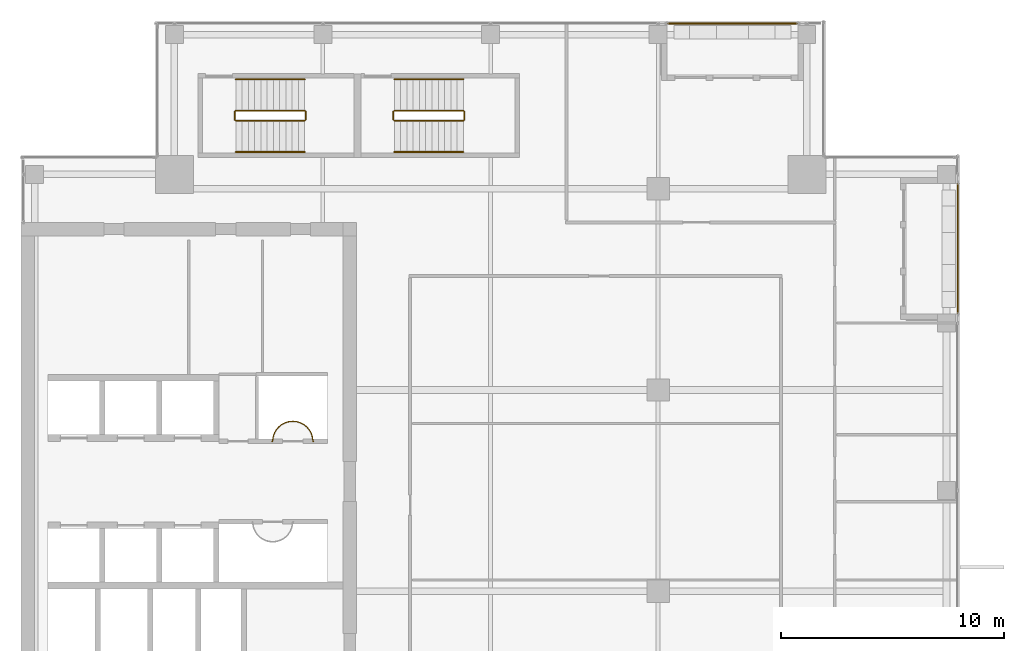
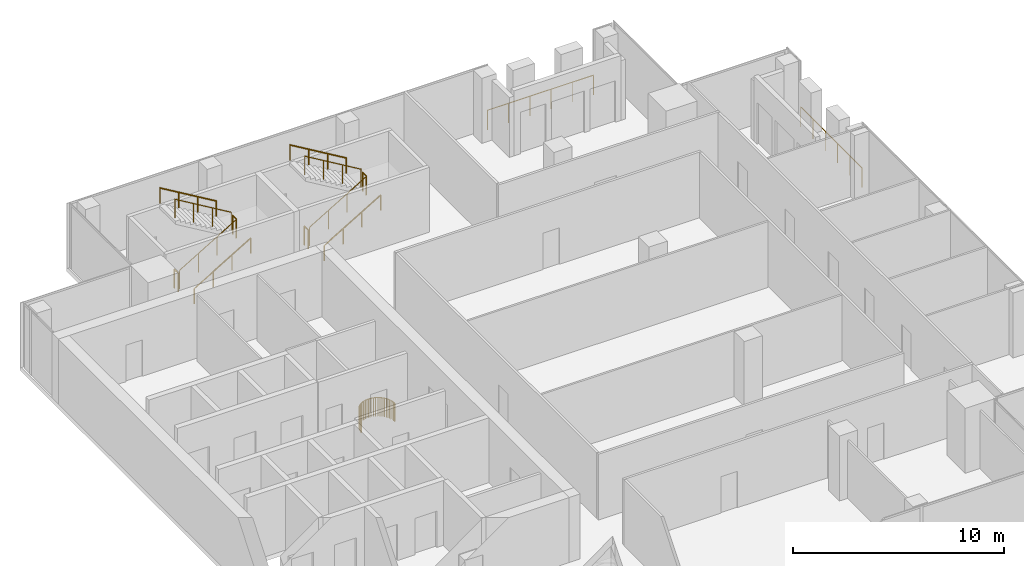
# One storey, part 27 of 28: 15 railings.
"""IFC4 building model written with IfcOpenShell, lengths in metres."""

from ifc_helpers import new_model, si_unit, direction, frame, origin, origin_2d, place, context, subcontext, project, spatial, circle, extrude, source, transform, mapped, material, type_object, element, save


model = new_model("IFC4")

# Units and contexts
model_context = context("Model", 3, precision=1e-05, world=origin(), true_north=direction((0.0, 1.0)))
body_context = subcontext(model_context, "Body", "Model", "MODEL_VIEW")
ifc_project = project(units=[si_unit("LENGTHUNIT", "METRE"), si_unit("AREAUNIT", "SQUARE_METRE"), si_unit("VOLUMEUNIT", "CUBIC_METRE"), si_unit("PLANEANGLEUNIT", "RADIAN"), si_unit("MASSUNIT", "GRAM", prefix="KILO")], contexts=[model_context])

# Site, building, storey
site_placement = place(None, origin())
site = spatial("IfcSite", under=ifc_project, at=site_placement, CompositionType="ELEMENT")
building_placement = place(site_placement, origin())
building = spatial("IfcBuilding", under=site, at=building_placement, Name="Khomas Fold Tower", CompositionType="ELEMENT")
storey_placement = place(building_placement, frame((0.0, 0.0, 302.199951171875)))
storey = spatial("IfcBuildingStorey", under=building, at=storey_placement, Name="L68", CompositionType="ELEMENT", Elevation=302.199951171875)

# Railings
ifc_material_1 = material(Name="Powder-coated steel", Category="steel")
railing_type_1 = type_object("IfcRailingType", Name="Balcony guard", PredefinedType="GUARDRAIL", material=ifc_material_1)
shared_shape_1 = source(origin(), body_context, "Body", "SweptSolid", [
    extrude(circle(Radius=0.02490234375, at=origin_2d()), frame((0.0, 0.0, 1.125), z_axis=(1.0, 0.0, 0.0), x_axis=(0.0, 1.0, 0.0)), (0.0, 0.0, 1.0), 5.7900390625),
    extrude(circle(Radius=0.02001953125, at=origin_2d()), origin(), (0.0, 0.0, 1.0), 1.099853515625),
    extrude(circle(Radius=0.02001953125, at=origin_2d()), frame((1.157958984375, 0.0, 0.0)), (0.0, 0.0, 1.0), 1.099853515625),
    extrude(circle(Radius=0.02001953125, at=origin_2d()), frame((2.31591796875, 0.0, 0.0)), (0.0, 0.0, 1.0), 1.099853515625),
    extrude(circle(Radius=0.02001953125, at=origin_2d()), frame((3.47412109375, 0.0, 0.0)), (0.0, 0.0, 1.0), 1.099853515625),
    extrude(circle(Radius=0.02001953125, at=origin_2d()), frame((4.632080078125, 0.0, 0.0)), (0.0, 0.0, 1.0), 1.099853515625),
    extrude(circle(Radius=0.02001953125, at=origin_2d()), frame((5.7900390625, 0.0, 0.0)), (0.0, 0.0, 1.0), 1.099853515625),
])
railing_1_placement = place(storey_placement, frame((34.929931640625, 47.89990234375, -0.044921875)))
element("IfcRailing", 1, at=railing_1_placement, inside=storey, type_object=railing_type_1, Name="Balcony guard BAL-L68-N4", PredefinedType="GUARDRAIL", context=body_context, shape_type="MappedRepresentation", body=[
    mapped(shared_shape_1, transform((0.0, 0.0, 0.0))),
])
shared_shape_2 = source(origin(), body_context, "Body", "SweptSolid", [
    extrude(circle(Radius=0.02490234375, at=origin_2d()), frame((0.0, 0.0, 1.125), z_axis=(0.0, 1.0, 0.0), x_axis=(-1.0, 0.0, 0.0)), (0.0, 0.0, 1.0), 5.7900390625),
    extrude(circle(Radius=0.02001953125, at=origin_2d()), origin(), (0.0, 0.0, 1.0), 1.099853515625),
    extrude(circle(Radius=0.02001953125, at=origin_2d()), frame((0.0, 1.157958984375, 0.0)), (0.0, 0.0, 1.0), 1.099853515625),
    extrude(circle(Radius=0.02001953125, at=origin_2d()), frame((0.0, 2.31591796875, 0.0)), (0.0, 0.0, 1.0), 1.099853515625),
    extrude(circle(Radius=0.02001953125, at=origin_2d()), frame((0.0, 3.47412109375, 0.0)), (0.0, 0.0, 1.0), 1.099853515625),
    extrude(circle(Radius=0.02001953125, at=origin_2d()), frame((0.0, 4.632080078125, 0.0)), (0.0, 0.0, 1.0), 1.099853515625),
    extrude(circle(Radius=0.02001953125, at=origin_2d()), frame((0.0, 5.7900390625, 0.0)), (0.0, 0.0, 1.0), 1.099853515625),
])
railing_2_placement = place(storey_placement, frame((47.89990234375, 34.929931640625, -0.044921875)))
element("IfcRailing", 2, at=railing_2_placement, inside=storey, type_object=railing_type_1, Name="Balcony guard BAL-L68-E4", PredefinedType="GUARDRAIL", context=body_context, shape_type="MappedRepresentation", body=[
    mapped(shared_shape_2, transform((0.0, 0.0, 0.0))),
])
ifc_material_2 = material(Name="Steel balustrade", Category="steel")
railing_type_2 = type_object("IfcRailingType", Name="Stair guard", PredefinedType="GUARDRAIL", material=ifc_material_2)
shared_shape_3 = source(origin(), body_context, "Body", "SweptSolid", [
    extrude(circle(Radius=0.02392578125, at=origin_2d()), frame((0.0, 0.0, 1.076171875), z_axis=(0.0, 1.0, 0.0), x_axis=(-1.0, 0.0, 0.0)), (0.0, 0.0, 1.0), 0.349853515625),
    extrude(circle(Radius=0.02099609375, at=origin_2d()), origin(), (0.0, 0.0, 1.0), 1.052001953125),
    extrude(circle(Radius=0.02099609375, at=origin_2d()), frame((0.0, 0.349853515625, 0.0)), (0.0, 0.0, 1.0), 1.052001953125),
])
for number, where, name in (
    (3, (18.72998046875, 43.60009765625, 2.0), "L68 ST1 stair guard 2"),
    (4, (15.550048828125, 43.60009765625, 0.0), "L68 ST1 stair guard 4"),
    (5, (25.830078125, 43.60009765625, 2.0), "L68 ST3 stair guard 2"),
    (6, (22.64990234375, 43.60009765625, 0.0), "L68 ST3 stair guard 4"),
):
    element("IfcRailing", number, at=place(storey_placement, frame(where)), inside=storey, type_object=railing_type_2, Name=name, PredefinedType="GUARDRAIL", context=body_context, shape_type="MappedRepresentation", body=[
        mapped(shared_shape_3, transform((0.0, 0.0, 0.0))),
    ])
shared_shape_4 = source(origin(), body_context, "Body", "SweptSolid", [
    extrude(circle(Radius=0.02392578125, at=origin_2d()), frame((0.0, 0.0, 1.076171875), z_axis=(0.859290745958, 0.0, 0.51148745235), x_axis=(0.0, 1.0, 0.0)), (0.0, 0.0, 1.0), 3.584228515625),
    extrude(circle(Radius=0.02099609375, at=origin_2d()), origin(), (0.0, 0.0, 1.0), 1.052001953125),
    extrude(circle(Radius=0.02099609375, at=origin_2d()), frame((1.026611328125, 0.0, 0.611083984375)), (0.0, 0.0, 1.0), 1.052001953125),
    extrude(circle(Radius=0.02099609375, at=origin_2d()), frame((2.05322265625, 0.0, 1.22216796875)), (0.0, 0.0, 1.0), 1.052001953125),
    extrude(circle(Radius=0.02099609375, at=origin_2d()), frame((3.079833984375, 0.0, 1.833251953125)), (0.0, 0.0, 1.0), 1.052001953125),
])
railing_3_placement = place(storey_placement, frame((15.60009765625, 43.550048828125, 0.166748046875)))
element("IfcRailing", 7, at=railing_3_placement, inside=storey, type_object=railing_type_2, Name="L68 ST1 stair guard 1", PredefinedType="GUARDRAIL", context=body_context, shape_type="MappedRepresentation", body=[
    mapped(shared_shape_4, transform((0.0, 0.0, 0.0))),
])
shared_shape_5 = source(origin(), body_context, "Body", "SweptSolid", [
    extrude(circle(Radius=0.02392578125, at=origin_2d()), frame((0.0, 0.0, 1.076171875), z_axis=(-0.859290745958, 0.0, 0.51148745235), x_axis=(0.0, -1.0, 0.0)), (0.0, 0.0, 1.0), 3.584228515625),
    extrude(circle(Radius=0.02099609375, at=origin_2d()), origin(), (0.0, 0.0, 1.0), 1.052001953125),
    extrude(circle(Radius=0.02099609375, at=origin_2d()), frame((-1.026611328125, 0.0, 0.611083984375)), (0.0, 0.0, 1.0), 1.052001953125),
    extrude(circle(Radius=0.02099609375, at=origin_2d()), frame((-2.05322265625, 0.0, 1.22216796875)), (0.0, 0.0, 1.0), 1.052001953125),
    extrude(circle(Radius=0.02099609375, at=origin_2d()), frame((-3.079833984375, 0.0, 1.833251953125)), (0.0, 0.0, 1.0), 1.052001953125),
])
railing_4_placement = place(storey_placement, frame((18.679931640625, 44.0, 2.166748046875)))
element("IfcRailing", 8, at=railing_4_placement, inside=storey, type_object=railing_type_2, Name="L68 ST1 stair guard 3", PredefinedType="GUARDRAIL", context=body_context, shape_type="MappedRepresentation", body=[
    mapped(shared_shape_5, transform((0.0, 0.0, 0.0))),
])
ifc_material_3 = material(Name="Steel handrail", Category="steel")
railing_type_3 = type_object("IfcRailingType", Name="Stair handrail", PredefinedType="HANDRAIL", material=ifc_material_3)
shared_shape_6 = source(origin(), body_context, "Body", "SweptSolid", [
    extrude(circle(Radius=0.02392578125, at=origin_2d()), frame((0.0, 0.0, 0.8759765625), z_axis=(0.859290745958, 0.0, 0.51148745235), x_axis=(0.0, 1.0, 0.0)), (0.0, 0.0, 1.0), 3.584228515625),
    extrude(circle(Radius=0.02099609375, at=origin_2d()), origin(), (0.0, 0.0, 1.0), 0.851806640625),
    extrude(circle(Radius=0.02099609375, at=origin_2d()), frame((1.026611328125, 0.0, 0.611083984375)), (0.0, 0.0, 1.0), 0.851806640625),
    extrude(circle(Radius=0.02099609375, at=origin_2d()), frame((2.05322265625, 0.0, 1.22216796875)), (0.0, 0.0, 1.0), 0.851806640625),
    extrude(circle(Radius=0.02099609375, at=origin_2d()), frame((3.079833984375, 0.0, 1.833251953125)), (0.0, 0.0, 1.0), 0.851806640625),
])
railing_5_placement = place(storey_placement, frame((15.60009765625, 42.14990234375, 0.166748046875)))
element("IfcRailing", 9, at=railing_5_placement, inside=storey, type_object=railing_type_3, Name="L68 ST1 stair handrail 1", PredefinedType="HANDRAIL", context=body_context, shape_type="MappedRepresentation", body=[
    mapped(shared_shape_6, transform((0.0, 0.0, 0.0))),
])
shared_shape_7 = source(origin(), body_context, "Body", "SweptSolid", [
    extrude(circle(Radius=0.02392578125, at=origin_2d()), frame((0.0, 0.0, 0.8759765625), z_axis=(-0.859290745958, 0.0, 0.51148745235), x_axis=(0.0, -1.0, 0.0)), (0.0, 0.0, 1.0), 3.584228515625),
    extrude(circle(Radius=0.02099609375, at=origin_2d()), origin(), (0.0, 0.0, 1.0), 0.851806640625),
    extrude(circle(Radius=0.02099609375, at=origin_2d()), frame((-1.026611328125, 0.0, 0.611083984375)), (0.0, 0.0, 1.0), 0.851806640625),
    extrude(circle(Radius=0.02099609375, at=origin_2d()), frame((-2.05322265625, 0.0, 1.22216796875)), (0.0, 0.0, 1.0), 0.851806640625),
    extrude(circle(Radius=0.02099609375, at=origin_2d()), frame((-3.079833984375, 0.0, 1.833251953125)), (0.0, 0.0, 1.0), 0.851806640625),
])
railing_6_placement = place(storey_placement, frame((18.679931640625, 45.39990234375, 2.166748046875)))
element("IfcRailing", 10, at=railing_6_placement, inside=storey, type_object=railing_type_3, Name="L68 ST1 stair handrail 2", PredefinedType="HANDRAIL", context=body_context, shape_type="MappedRepresentation", body=[
    mapped(shared_shape_7, transform((0.0, 0.0, 0.0))),
])
shared_shape_8 = source(origin(), body_context, "Body", "SweptSolid", [
    extrude(circle(Radius=0.02392578125, at=origin_2d()), frame((0.0, 0.0, 1.076171875), z_axis=(0.859308565015, 0.0, 0.511457515432), x_axis=(0.0, 1.0, 0.0)), (0.0, 0.0, 1.0), 3.58447265625),
    extrude(circle(Radius=0.02099609375, at=origin_2d()), origin(), (0.0, 0.0, 1.0), 1.052001953125),
    extrude(circle(Radius=0.02099609375, at=origin_2d()), frame((1.026611328125, 0.0, 0.611083984375)), (0.0, 0.0, 1.0), 1.052001953125),
    extrude(circle(Radius=0.02099609375, at=origin_2d()), frame((2.053466796875, 0.0, 1.22216796875)), (0.0, 0.0, 1.0), 1.052001953125),
    extrude(circle(Radius=0.02099609375, at=origin_2d()), frame((3.080078125, 0.0, 1.833251953125)), (0.0, 0.0, 1.0), 1.052001953125),
])
railing_7_placement = place(storey_placement, frame((22.699951171875, 43.550048828125, 0.166748046875)))
element("IfcRailing", 11, at=railing_7_placement, inside=storey, type_object=railing_type_2, Name="L68 ST3 stair guard 1", PredefinedType="GUARDRAIL", context=body_context, shape_type="MappedRepresentation", body=[
    mapped(shared_shape_8, transform((0.0, 0.0, 0.0))),
])
shared_shape_9 = source(origin(), body_context, "Body", "SweptSolid", [
    extrude(circle(Radius=0.02392578125, at=origin_2d()), frame((0.0, 0.0, 1.076171875), z_axis=(-0.859308565015, 0.0, 0.511457515432), x_axis=(0.0, -1.0, 0.0)), (0.0, 0.0, 1.0), 3.58447265625),
    extrude(circle(Radius=0.02099609375, at=origin_2d()), origin(), (0.0, 0.0, 1.0), 1.052001953125),
    extrude(circle(Radius=0.02099609375, at=origin_2d()), frame((-1.026611328125, 0.0, 0.611083984375)), (0.0, 0.0, 1.0), 1.052001953125),
    extrude(circle(Radius=0.02099609375, at=origin_2d()), frame((-2.053466796875, 0.0, 1.22216796875)), (0.0, 0.0, 1.0), 1.052001953125),
    extrude(circle(Radius=0.02099609375, at=origin_2d()), frame((-3.080078125, 0.0, 1.833251953125)), (0.0, 0.0, 1.0), 1.052001953125),
])
railing_8_placement = place(storey_placement, frame((25.780029296875, 44.0, 2.166748046875)))
element("IfcRailing", 12, at=railing_8_placement, inside=storey, type_object=railing_type_2, Name="L68 ST3 stair guard 3", PredefinedType="GUARDRAIL", context=body_context, shape_type="MappedRepresentation", body=[
    mapped(shared_shape_9, transform((0.0, 0.0, 0.0))),
])
shared_shape_10 = source(origin(), body_context, "Body", "SweptSolid", [
    extrude(circle(Radius=0.02392578125, at=origin_2d()), frame((0.0, 0.0, 0.8759765625), z_axis=(0.859308565015, 0.0, 0.511457515432), x_axis=(0.0, 1.0, 0.0)), (0.0, 0.0, 1.0), 3.58447265625),
    extrude(circle(Radius=0.02099609375, at=origin_2d()), origin(), (0.0, 0.0, 1.0), 0.851806640625),
    extrude(circle(Radius=0.02099609375, at=origin_2d()), frame((1.026611328125, 0.0, 0.611083984375)), (0.0, 0.0, 1.0), 0.851806640625),
    extrude(circle(Radius=0.02099609375, at=origin_2d()), frame((2.053466796875, 0.0, 1.22216796875)), (0.0, 0.0, 1.0), 0.851806640625),
    extrude(circle(Radius=0.02099609375, at=origin_2d()), frame((3.080078125, 0.0, 1.833251953125)), (0.0, 0.0, 1.0), 0.851806640625),
])
railing_9_placement = place(storey_placement, frame((22.699951171875, 42.14990234375, 0.166748046875)))
element("IfcRailing", 13, at=railing_9_placement, inside=storey, type_object=railing_type_3, Name="L68 ST3 stair handrail 1", PredefinedType="HANDRAIL", context=body_context, shape_type="MappedRepresentation", body=[
    mapped(shared_shape_10, transform((0.0, 0.0, 0.0))),
])
shared_shape_11 = source(origin(), body_context, "Body", "SweptSolid", [
    extrude(circle(Radius=0.02392578125, at=origin_2d()), frame((0.0, 0.0, 0.8759765625), z_axis=(-0.859308565015, 0.0, 0.511457515432), x_axis=(0.0, -1.0, 0.0)), (0.0, 0.0, 1.0), 3.58447265625),
    extrude(circle(Radius=0.02099609375, at=origin_2d()), origin(), (0.0, 0.0, 1.0), 0.851806640625),
    extrude(circle(Radius=0.02099609375, at=origin_2d()), frame((-1.026611328125, 0.0, 0.611083984375)), (0.0, 0.0, 1.0), 0.851806640625),
    extrude(circle(Radius=0.02099609375, at=origin_2d()), frame((-2.053466796875, 0.0, 1.22216796875)), (0.0, 0.0, 1.0), 0.851806640625),
    extrude(circle(Radius=0.02099609375, at=origin_2d()), frame((-3.080078125, 0.0, 1.833251953125)), (0.0, 0.0, 1.0), 0.851806640625),
])
railing_10_placement = place(storey_placement, frame((25.780029296875, 45.39990234375, 2.166748046875)))
element("IfcRailing", 14, at=railing_10_placement, inside=storey, type_object=railing_type_3, Name="L68 ST3 stair handrail 2", PredefinedType="HANDRAIL", context=body_context, shape_type="MappedRepresentation", body=[
    mapped(shared_shape_11, transform((0.0, 0.0, 0.0))),
])
ifc_material_4 = material(Name="Steel balustrade", Category="steel")
railing_type_4 = type_object("IfcRailingType", Name="Shaft guard", PredefinedType="GUARDRAIL", material=ifc_material_4)
shared_shape_12 = source(origin(), body_context, "Body", "SweptSolid", [
    extrude(circle(Radius=0.02490234375, at=origin_2d()), frame((0.0, 0.0, 1.0751953125), z_axis=(-1.0, 0.0, 0.0), x_axis=(0.0, -1.0, 0.0)), (0.0, 0.0, 1.0), 0.030029296875),
    extrude(circle(Radius=0.02490234375, at=origin_2d()), frame((-0.030029296875, 0.0, 1.0751953125), z_axis=(-0.049799629132, 0.998759228712, 0.0), x_axis=(-0.998759228712, -0.049799629132, 0.0)), (0.0, 0.0, 1.0), 0.088134765625),
    extrude(circle(Radius=0.02490234375, at=origin_2d()), frame((-0.034423828125, 0.088134765625, 1.0751953125), z_axis=(-0.146448518259, 0.989218293148, 0.0), x_axis=(-0.989218293148, -0.146448518259, 0.0)), (0.0, 0.0, 1.0), 0.08837890625),
    extrude(circle(Radius=0.02490234375, at=origin_2d()), frame((-0.04736328125, 0.175537109375, 1.0751953125), z_axis=(-0.243185799972, 0.969979724887, 0.0), x_axis=(-0.969979724887, -0.243185799972, 0.0)), (0.0, 0.0, 1.0), 0.08837890625),
    extrude(circle(Radius=0.02490234375, at=origin_2d()), frame((-0.06884765625, 0.26123046875, 1.0751953125), z_axis=(-0.336861089454, 0.941554356589, 0.0), x_axis=(-0.941554356589, -0.336861089454, 0.0)), (0.0, 0.0, 1.0), 0.08837890625),
    extrude(circle(Radius=0.02490234375, at=origin_2d()), frame((-0.0986328125, 0.344482421875, 1.0751953125), z_axis=(-0.428323905606, 0.903625271828, 0.0), x_axis=(-0.903625271828, -0.428323905606, 0.0)), (0.0, 0.0, 1.0), 0.08837890625),
    extrude(circle(Radius=0.02490234375, at=origin_2d()), frame((-0.136474609375, 0.42431640625, 1.0751953125), z_axis=(-0.514495755428, 0.857492925713, 0.0), x_axis=(-0.857492925713, -0.514495755428, 0.0)), (0.0, 0.0, 1.0), 0.08837890625),
    extrude(circle(Radius=0.02490234375, at=origin_2d()), frame((-0.181884765625, 0.5, 1.0751953125), z_axis=(-0.594235623595, 0.804291006819, 0.0), x_axis=(-0.804291006819, -0.594235623595, 0.0)), (0.0, 0.0, 1.0), 0.08837890625),
    extrude(circle(Radius=0.02490234375, at=origin_2d()), frame((-0.234375, 0.571044921875, 1.0751953125), z_axis=(-0.671709119666, 0.740814996175, 0.0), x_axis=(-0.740814996175, -0.671709119666, 0.0)), (0.0, 0.0, 1.0), 0.08837890625),
    extrude(circle(Radius=0.02490234375, at=origin_2d()), frame((-0.293701171875, 0.636474609375, 1.0751953125), z_axis=(-0.740814996175, 0.671709119666, 0.0), x_axis=(-0.671709119666, -0.740814996175, 0.0)), (0.0, 0.0, 1.0), 0.08837890625),
    extrude(circle(Radius=0.02490234375, at=origin_2d()), frame((-0.359130859375, 0.69580078125, 1.0751953125), z_axis=(-0.804291006819, 0.594235623595, 0.0), x_axis=(-0.594235623595, -0.804291006819, 0.0)), (0.0, 0.0, 1.0), 0.08837890625),
    extrude(circle(Radius=0.02490234375, at=origin_2d()), frame((-0.43017578125, 0.748291015625, 1.0751953125), z_axis=(-0.857492925713, 0.514495755428, 0.0), x_axis=(-0.514495755428, -0.857492925713, 0.0)), (0.0, 0.0, 1.0), 0.08837890625),
    extrude(circle(Radius=0.02490234375, at=origin_2d()), frame((-0.505859375, 0.793701171875, 1.0751953125), z_axis=(-0.903625271828, 0.428323905606, 0.0), x_axis=(-0.428323905606, -0.903625271828, 0.0)), (0.0, 0.0, 1.0), 0.08837890625),
    extrude(circle(Radius=0.02490234375, at=origin_2d()), frame((-0.585693359375, 0.83154296875, 1.0751953125), z_axis=(-0.941239807302, 0.337738989679, 0.0), x_axis=(-0.337738989679, -0.941239807302, 0.0)), (0.0, 0.0, 1.0), 0.088134765625),
    extrude(circle(Radius=0.02490234375, at=origin_2d()), frame((-0.668701171875, 0.861328125, 1.0751953125), z_axis=(-0.969979724887, 0.243185799972, 0.0), x_axis=(-0.243185799972, -0.969979724887, 0.0)), (0.0, 0.0, 1.0), 0.08837890625),
    extrude(circle(Radius=0.02490234375, at=origin_2d()), frame((-0.75439453125, 0.8828125, 1.0751953125), z_axis=(-0.989218293148, 0.146448518259, 0.0), x_axis=(-0.146448518259, -0.989218293148, 0.0)), (0.0, 0.0, 1.0), 0.08837890625),
    extrude(circle(Radius=0.02490234375, at=origin_2d()), frame((-0.841796875, 0.895751953125, 1.0751953125), z_axis=(-0.998766061669, 0.049662400856, 0.0), x_axis=(-0.049662400856, -0.998766061669, 0.0)), (0.0, 0.0, 1.0), 0.08837890625),
    extrude(circle(Radius=0.02490234375, at=origin_2d()), frame((-0.93017578125, 0.900146484375, 1.0751953125), z_axis=(-0.998759228712, -0.049799629132, 0.0), x_axis=(0.049799629132, -0.998759228712, 0.0)), (0.0, 0.0, 1.0), 0.088134765625),
    extrude(circle(Radius=0.02490234375, at=origin_2d()), frame((-1.018310546875, 0.895751953125, 1.0751953125), z_axis=(-0.989218293148, -0.146448518259, 0.0), x_axis=(0.146448518259, -0.989218293148, 0.0)), (0.0, 0.0, 1.0), 0.08837890625),
    extrude(circle(Radius=0.02490234375, at=origin_2d()), frame((-1.105712890625, 0.8828125, 1.0751953125), z_axis=(-0.969979724887, -0.243185799972, 0.0), x_axis=(0.243185799972, -0.969979724887, 0.0)), (0.0, 0.0, 1.0), 0.08837890625),
    extrude(circle(Radius=0.02490234375, at=origin_2d()), frame((-1.19140625, 0.861328125, 1.0751953125), z_axis=(-0.941239807302, -0.337738989679, 0.0), x_axis=(0.337738989679, -0.941239807302, 0.0)), (0.0, 0.0, 1.0), 0.088134765625),
    extrude(circle(Radius=0.02490234375, at=origin_2d()), frame((-1.2744140625, 0.83154296875, 1.0751953125), z_axis=(-0.904130352346, -0.427256721383, 0.0), x_axis=(0.427256721383, -0.904130352346, 0.0)), (0.0, 0.0, 1.0), 0.088623046875),
    extrude(circle(Radius=0.02490234375, at=origin_2d()), frame((-1.3544921875, 0.793701171875, 1.0751953125), z_axis=(-0.857492925713, -0.514495755428, 0.0), x_axis=(0.514495755428, -0.857492925713, 0.0)), (0.0, 0.0, 1.0), 0.08837890625),
    extrude(circle(Radius=0.02490234375, at=origin_2d()), frame((-1.43017578125, 0.748291015625, 1.0751953125), z_axis=(-0.803311771616, -0.595558727233, 0.0), x_axis=(0.595558727233, -0.803311771616, 0.0)), (0.0, 0.0, 1.0), 0.088134765625),
    extrude(circle(Radius=0.02490234375, at=origin_2d()), frame((-1.5009765625, 0.69580078125, 1.0751953125), z_axis=(-0.740814996175, -0.671709119666, 0.0), x_axis=(0.671709119666, -0.740814996175, 0.0)), (0.0, 0.0, 1.0), 0.08837890625),
    extrude(circle(Radius=0.02490234375, at=origin_2d()), frame((-1.56640625, 0.636474609375, 1.0751953125), z_axis=(-0.671709119666, -0.740814996175, 0.0), x_axis=(0.740814996175, -0.671709119666, 0.0)), (0.0, 0.0, 1.0), 0.08837890625),
    extrude(circle(Radius=0.02490234375, at=origin_2d()), frame((-1.625732421875, 0.571044921875, 1.0751953125), z_axis=(-0.596019138224, -0.802970227885, 0.0), x_axis=(0.802970227885, -0.596019138224, 0.0)), (0.0, 0.0, 1.0), 0.08837890625),
    extrude(circle(Radius=0.02490234375, at=origin_2d()), frame((-1.678466796875, 0.5, 1.0751953125), z_axis=(-0.514495755428, -0.857492925713, 0.0), x_axis=(0.857492925713, -0.514495755428, 0.0)), (0.0, 0.0, 1.0), 0.08837890625),
    extrude(circle(Radius=0.02490234375, at=origin_2d()), frame((-1.723876953125, 0.42431640625, 1.0751953125), z_axis=(-0.426063493689, -0.904693262573, 0.0), x_axis=(0.904693262573, -0.426063493689, 0.0)), (0.0, 0.0, 1.0), 0.088134765625),
    extrude(circle(Radius=0.02490234375, at=origin_2d()), frame((-1.761474609375, 0.344482421875, 1.0751953125), z_axis=(-0.336861089454, -0.941554356589, 0.0), x_axis=(0.941554356589, -0.336861089454, 0.0)), (0.0, 0.0, 1.0), 0.08837890625),
    extrude(circle(Radius=0.02490234375, at=origin_2d()), frame((-1.791259765625, 0.26123046875, 1.0751953125), z_axis=(-0.243185799972, -0.969979724887, 0.0), x_axis=(0.969979724887, -0.243185799972, 0.0)), (0.0, 0.0, 1.0), 0.08837890625),
    extrude(circle(Radius=0.02490234375, at=origin_2d()), frame((-1.812744140625, 0.175537109375, 1.0751953125), z_axis=(-0.146448518259, -0.989218293148, 0.0), x_axis=(0.989218293148, -0.146448518259, 0.0)), (0.0, 0.0, 1.0), 0.08837890625),
    extrude(circle(Radius=0.02490234375, at=origin_2d()), frame((-1.82568359375, 0.088134765625, 1.0751953125), z_axis=(-0.049799629132, -0.998759228712, 0.0), x_axis=(0.998759228712, -0.049799629132, 0.0)), (0.0, 0.0, 1.0), 0.088134765625),
    extrude(circle(Radius=0.02490234375, at=origin_2d()), frame((-1.830078125, 0.0, 1.0751953125), z_axis=(-1.0, 0.0, 0.0), x_axis=(0.0, -1.0, 0.0)), (0.0, 0.0, 1.0), 0.030029296875),
    extrude(circle(Radius=0.02001953125, at=origin_2d()), origin(), (0.0, 0.0, 1.0), 1.050048828125),
    extrude(circle(Radius=0.02001953125, at=origin_2d()), frame((-0.030029296875, 0.0, 0.0)), (0.0, 0.0, 1.0), 1.050048828125),
    extrude(circle(Radius=0.02001953125, at=origin_2d()), frame((-0.034423828125, 0.088134765625, 0.0)), (0.0, 0.0, 1.0), 1.050048828125),
    extrude(circle(Radius=0.02001953125, at=origin_2d()), frame((-0.04736328125, 0.175537109375, 0.0)), (0.0, 0.0, 1.0), 1.050048828125),
    extrude(circle(Radius=0.02001953125, at=origin_2d()), frame((-0.06884765625, 0.26123046875, 0.0)), (0.0, 0.0, 1.0), 1.050048828125),
    extrude(circle(Radius=0.02001953125, at=origin_2d()), frame((-0.0986328125, 0.344482421875, 0.0)), (0.0, 0.0, 1.0), 1.050048828125),
    extrude(circle(Radius=0.02001953125, at=origin_2d()), frame((-0.136474609375, 0.42431640625, 0.0)), (0.0, 0.0, 1.0), 1.050048828125),
    extrude(circle(Radius=0.02001953125, at=origin_2d()), frame((-0.181884765625, 0.5, 0.0)), (0.0, 0.0, 1.0), 1.050048828125),
    extrude(circle(Radius=0.02001953125, at=origin_2d()), frame((-0.234375, 0.571044921875, 0.0)), (0.0, 0.0, 1.0), 1.050048828125),
    extrude(circle(Radius=0.02001953125, at=origin_2d()), frame((-0.293701171875, 0.636474609375, 0.0)), (0.0, 0.0, 1.0), 1.050048828125),
    extrude(circle(Radius=0.02001953125, at=origin_2d()), frame((-0.359130859375, 0.69580078125, 0.0)), (0.0, 0.0, 1.0), 1.050048828125),
    extrude(circle(Radius=0.02001953125, at=origin_2d()), frame((-0.43017578125, 0.748291015625, 0.0)), (0.0, 0.0, 1.0), 1.050048828125),
    extrude(circle(Radius=0.02001953125, at=origin_2d()), frame((-0.505859375, 0.793701171875, 0.0)), (0.0, 0.0, 1.0), 1.050048828125),
    extrude(circle(Radius=0.02001953125, at=origin_2d()), frame((-0.585693359375, 0.83154296875, 0.0)), (0.0, 0.0, 1.0), 1.050048828125),
    extrude(circle(Radius=0.02001953125, at=origin_2d()), frame((-0.668701171875, 0.861328125, 0.0)), (0.0, 0.0, 1.0), 1.050048828125),
    extrude(circle(Radius=0.02001953125, at=origin_2d()), frame((-0.75439453125, 0.8828125, 0.0)), (0.0, 0.0, 1.0), 1.050048828125),
    extrude(circle(Radius=0.02001953125, at=origin_2d()), frame((-0.841796875, 0.895751953125, 0.0)), (0.0, 0.0, 1.0), 1.050048828125),
    extrude(circle(Radius=0.02001953125, at=origin_2d()), frame((-0.93017578125, 0.900146484375, 0.0)), (0.0, 0.0, 1.0), 1.050048828125),
    extrude(circle(Radius=0.02001953125, at=origin_2d()), frame((-1.018310546875, 0.895751953125, 0.0)), (0.0, 0.0, 1.0), 1.050048828125),
    extrude(circle(Radius=0.02001953125, at=origin_2d()), frame((-1.105712890625, 0.8828125, 0.0)), (0.0, 0.0, 1.0), 1.050048828125),
    extrude(circle(Radius=0.02001953125, at=origin_2d()), frame((-1.19140625, 0.861328125, 0.0)), (0.0, 0.0, 1.0), 1.050048828125),
    extrude(circle(Radius=0.02001953125, at=origin_2d()), frame((-1.2744140625, 0.83154296875, 0.0)), (0.0, 0.0, 1.0), 1.050048828125),
    extrude(circle(Radius=0.02001953125, at=origin_2d()), frame((-1.3544921875, 0.793701171875, 0.0)), (0.0, 0.0, 1.0), 1.050048828125),
    extrude(circle(Radius=0.02001953125, at=origin_2d()), frame((-1.43017578125, 0.748291015625, 0.0)), (0.0, 0.0, 1.0), 1.050048828125),
    extrude(circle(Radius=0.02001953125, at=origin_2d()), frame((-1.5009765625, 0.69580078125, 0.0)), (0.0, 0.0, 1.0), 1.050048828125),
    extrude(circle(Radius=0.02001953125, at=origin_2d()), frame((-1.56640625, 0.636474609375, 0.0)), (0.0, 0.0, 1.0), 1.050048828125),
    extrude(circle(Radius=0.02001953125, at=origin_2d()), frame((-1.625732421875, 0.571044921875, 0.0)), (0.0, 0.0, 1.0), 1.050048828125),
    extrude(circle(Radius=0.02001953125, at=origin_2d()), frame((-1.678466796875, 0.5, 0.0)), (0.0, 0.0, 1.0), 1.050048828125),
    extrude(circle(Radius=0.02001953125, at=origin_2d()), frame((-1.723876953125, 0.42431640625, 0.0)), (0.0, 0.0, 1.0), 1.050048828125),
    extrude(circle(Radius=0.02001953125, at=origin_2d()), frame((-1.761474609375, 0.344482421875, 0.0)), (0.0, 0.0, 1.0), 1.050048828125),
    extrude(circle(Radius=0.02001953125, at=origin_2d()), frame((-1.791259765625, 0.26123046875, 0.0)), (0.0, 0.0, 1.0), 1.050048828125),
    extrude(circle(Radius=0.02001953125, at=origin_2d()), frame((-1.812744140625, 0.175537109375, 0.0)), (0.0, 0.0, 1.0), 1.050048828125),
    extrude(circle(Radius=0.02001953125, at=origin_2d()), frame((-1.82568359375, 0.088134765625, 0.0)), (0.0, 0.0, 1.0), 1.050048828125),
    extrude(circle(Radius=0.02001953125, at=origin_2d()), frame((-1.830078125, 0.0, 0.0)), (0.0, 0.0, 1.0), 1.050048828125),
    extrude(circle(Radius=0.02001953125, at=origin_2d()), frame((-1.860107421875, 0.0, 0.0)), (0.0, 0.0, 1.0), 1.050048828125),
])
railing_11_placement = place(storey_placement, frame((19.080078125, 29.199951171875, 0.0)))
element("IfcRailing", 15, at=railing_11_placement, inside=storey, type_object=railing_type_4, Name="Shaft guard L68 3", PredefinedType="GUARDRAIL", context=body_context, shape_type="MappedRepresentation", body=[
    mapped(shared_shape_12, transform((0.0, 0.0, 0.0))),
])

save(model, "model.ifc")
